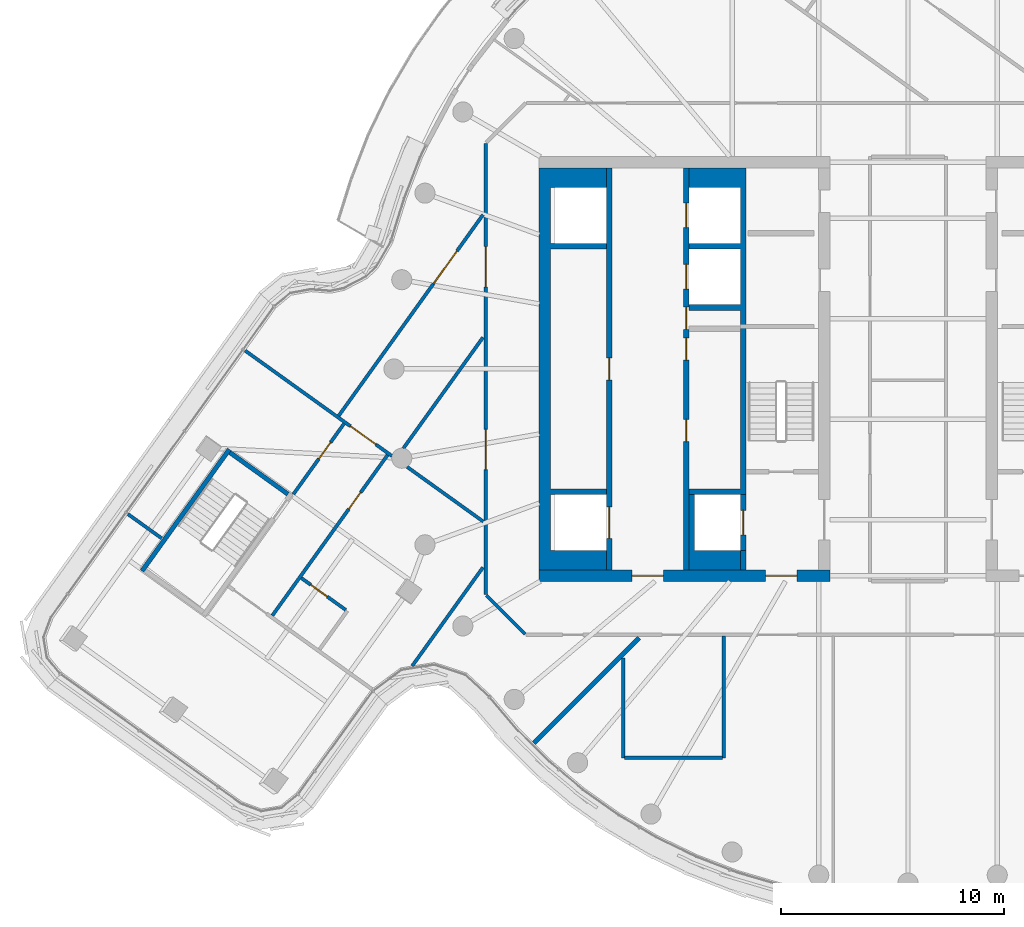
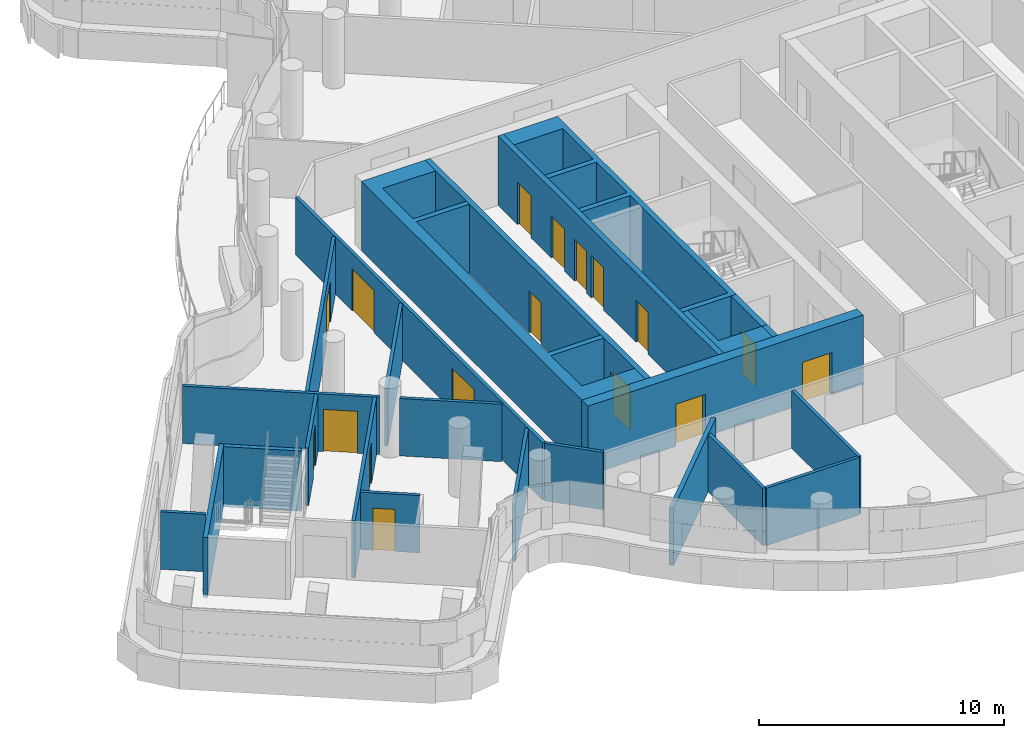
# One storey, part 17 of 27: 25 walls, 17 doors, 17 openings.
"""IFC4 building model written with IfcOpenShell, lengths in metres."""

from ifc_helpers import new_model, si_unit, direction, frame, frame_2d, origin, place, context, subcontext, project, spatial, polyline, rectangle, outline, extrude, material, layer, layer_set, type_object, element, fill, save


model = new_model("IFC4")

# Units and contexts
model_context = context("Model", 3, precision=1e-05, world=origin(), true_north=direction((0.0, 1.0)))
body_context = subcontext(model_context, "Body", "Model", "MODEL_VIEW")
ifc_project = project(units=[si_unit("LENGTHUNIT", "METRE"), si_unit("AREAUNIT", "SQUARE_METRE"), si_unit("VOLUMEUNIT", "CUBIC_METRE"), si_unit("PLANEANGLEUNIT", "RADIAN"), si_unit("MASSUNIT", "GRAM", prefix="KILO")], contexts=[model_context])

# Site, building, storey
site_placement = place(None, origin())
site = spatial("IfcSite", under=ifc_project, at=site_placement, CompositionType="ELEMENT")
building_placement = place(site_placement, origin())
building = spatial("IfcBuilding", under=site, at=building_placement, Name="Tamarind Cross Interchange Tower", CompositionType="ELEMENT")
storey_placement = place(building_placement, frame((0.0, 0.0, 230.699951171875)))
storey = spatial("IfcBuildingStorey", under=building, at=storey_placement, Name="L58", CompositionType="ELEMENT", Elevation=230.699951171875)

# Wall, openings, doors
ifc_material_1 = material(Name="Concrete C50", Category="concrete")
ifc_layer_1 = layer(ifc_material_1, 0.5)
ifc_layer_set_1 = layer_set([ifc_layer_1], Name="Concrete C50")
wall_type_1 = type_object("IfcWallType", Name="Core wall 500 mm Concrete C50", PredefinedType="SHEAR", material=ifc_layer_set_1)
wall_1_placement = place(storey_placement, frame((-16.5, -9.25, 0.0), z_axis=(0.0, 0.0, 1.0), x_axis=(1.0, 0.0, 0.0)))
wall_1 = element("IfcWall", 1, at=wall_1_placement, inside=storey, type_object=wall_type_1, Name="Core wall CWL-L58-W-S", PredefinedType="SHEAR", context=body_context, shape_type="SweptSolid", body=[
    extrude(rectangle(XDim=13.0, YDim=0.5, at=frame_2d((6.5, 0.0))), origin(), (0.0, 0.0, 1.0), 3.4599609375),
])
opening_1_placement = place(wall_1_placement, frame((4.14990234375, 0.0, 0.0)))
opening_1 = element("IfcOpeningElement", 2, at=opening_1_placement, cuts=wall_1, Name="Opening DCW1", PredefinedType="OPENING", context=body_context, shape_type="SweptSolid", body=[
    extrude(rectangle(XDim=1.39990234375, YDim=2.10009765625, at=frame_2d((0.699951171875, 1.050048828125))), frame((0.0, 0.260009765625, 0.0), z_axis=(0.0, -1.0, 0.0), x_axis=(1.0, 0.0, 0.0)), (0.0, 0.0, 1.0), 0.52001953125),
])
opening_2_placement = place(wall_1_placement, frame((10.125, 0.0, 0.0)))
opening_2 = element("IfcOpeningElement", 3, at=opening_2_placement, cuts=wall_1, Name="Opening DCWF", PredefinedType="OPENING", context=body_context, shape_type="SweptSolid", body=[
    extrude(rectangle(XDim=1.39990234375, YDim=2.10009765625, at=frame_2d((0.699951171875, 1.050048828125))), frame((0.0, 0.260009765625, 0.0), z_axis=(0.0, -1.0, 0.0), x_axis=(1.0, 0.0, 0.0)), (0.0, 0.0, 1.0), 0.52001953125),
])
ifc_material_2 = material(Name="Steel, fire-resisting", Category="steel")
door_type_1 = type_object("IfcDoorType", Name="Core fire door 1400 x 2100 FD90", OperationType="SINGLE_SWING_LEFT", PredefinedType="DOOR", material=ifc_material_2)
door_1_placement = place(opening_1_placement, origin())
door_1 = element("IfcDoor", 4, at=door_1_placement, inside=storey, type_object=door_type_1, Name="L58 lift lobby door", OperationType="SINGLE_SWING_LEFT", OverallHeight=2.10009765625, OverallWidth=1.39990234375, PredefinedType="DOOR", context=body_context, shape_type="SweptSolid", body=[
    extrude(rectangle(XDim=1.39990234375, YDim=2.10009765625, at=frame_2d((0.699951171875, 1.050048828125))), frame((0.0, 0.02490234375, 0.0), z_axis=(0.0, -1.0, 0.0), x_axis=(1.0, 0.0, 0.0)), (0.0, 0.0, 1.0), 0.050048828125),
])
fill(opening_1, door_1)
door_2_placement = place(opening_2_placement, origin())
door_2 = element("IfcDoor", 5, at=door_2_placement, inside=storey, type_object=door_type_1, Name="L58 firefighting lobby end door", OperationType="SINGLE_SWING_LEFT", OverallHeight=2.10009765625, OverallWidth=1.39990234375, PredefinedType="DOOR", context=body_context, shape_type="SweptSolid", body=[
    extrude(rectangle(XDim=1.39990234375, YDim=2.10009765625, at=frame_2d((0.699951171875, 1.050048828125))), frame((0.0, 0.02490234375, 0.0), z_axis=(0.0, -1.0, 0.0), x_axis=(1.0, 0.0, 0.0)), (0.0, 0.0, 1.0), 0.050048828125),
])
fill(opening_2, door_2)

# Walls
wall_2_placement = place(storey_placement, origin())
element("IfcWall", 6, at=wall_2_placement, inside=storey, type_object=wall_type_1, Name="Core wall CWL-L58-W-A", PredefinedType="SHEAR", context=body_context, shape_type="SweptSolid", body=[
    extrude(outline(polyline([(-13.5, -8.125), (-16.0, -8.125), (-16.0, -5.625), (-13.5, -5.625), (-13.5, -5.375), (-16.0, -5.375), (-16.0, 5.375), (-13.5, 5.375), (-13.5, 5.625), (-16.0, 5.625), (-16.0, 8.125), (-13.5, 8.125), (-13.5, 9.0), (-16.0, 9.0), (-16.5, 9.0), (-16.5, -9.0), (-16.0, -9.0), (-13.5, -9.0), (-13.5, -8.125)])), origin(), (0.0, 0.0, 1.0), 3.4599609375),
])
ifc_layer_2 = layer(ifc_material_1, 0.25)
ifc_layer_set_2 = layer_set([ifc_layer_2], Name="Concrete C50")
wall_type_2 = type_object("IfcWallType", Name="Core web wall 250 mm Concrete C50", PredefinedType="SHEAR", material=ifc_layer_set_2)
wall_3_placement = place(storey_placement, origin())
element("IfcWall", 7, at=wall_3_placement, inside=storey, type_object=wall_type_2, Name="Core wall CWL-L58-W-BN", PredefinedType="SHEAR", context=body_context, shape_type="SweptSolid", body=[
    extrude(outline(polyline([(-9.800048828125, -5.375), (-9.800048828125, -5.625), (-7.5, -5.625), (-7.25, -5.625), (-7.25, 9.0), (-7.5, 9.0), (-9.800048828125, 9.0), (-9.800048828125, 8.125), (-7.5, 8.125), (-7.5, 5.625), (-9.800048828125, 5.625), (-9.800048828125, 5.375), (-7.5, 5.375), (-7.5, 2.875), (-9.800048828125, 2.875), (-9.800048828125, 2.625), (-7.5, 2.625), (-7.5, -5.375), (-9.800048828125, -5.375)])), origin(), (0.0, 0.0, 1.0), 3.4599609375),
])
wall_4_placement = place(storey_placement, origin())
element("IfcWall", 8, at=wall_4_placement, inside=storey, type_object=wall_type_2, Name="Core wall CWL-L58-W-BS", PredefinedType="SHEAR", context=body_context, shape_type="SweptSolid", body=[
    extrude(outline(polyline([(-7.5, -8.125), (-9.550048828125, -8.125), (-9.550048828125, -5.625), (-9.800048828125, -5.625), (-9.800048828125, -8.125), (-9.800048828125, -9.0), (-7.5, -9.0), (-7.5, -8.125)])), origin(), (0.0, 0.0, 1.0), 3.4599609375),
])
wall_5_placement = place(storey_placement, frame((-7.375, -9.0, 0.0), z_axis=(0.0, 0.0, 1.0), x_axis=(0.0, 1.0, 0.0)))
element("IfcWall", 9, at=wall_5_placement, inside=storey, type_object=wall_type_2, Name="Core wall CWL-L58-W-BW", PredefinedType="SHEAR", context=body_context, shape_type="SweptSolid", body=[
    extrude(rectangle(XDim=0.875, YDim=0.25, at=frame_2d((0.4375, 0.0))), origin(), (0.0, 0.0, 1.0), 3.4599609375),
])

# Wall, openings, doors
wall_6_placement = place(storey_placement, frame((-13.375, -9.0, 0.0), z_axis=(0.0, 0.0, 1.0), x_axis=(0.0, 1.0, 0.0)))
wall_6 = element("IfcWall", 10, at=wall_6_placement, inside=storey, type_object=wall_type_2, Name="Core wall CWL-L58-W-LA", PredefinedType="SHEAR", context=body_context, shape_type="SweptSolid", body=[
    extrude(rectangle(XDim=18.0, YDim=0.25, at=frame_2d((9.0, 0.0))), origin(), (0.0, 0.0, 1.0), 3.4599609375),
])
opening_3_placement = place(wall_6_placement, frame((1.425048828125, 0.0, 0.0)))
opening_3 = element("IfcOpeningElement", 11, at=opening_3_placement, cuts=wall_6, Name="Opening LD1L58", PredefinedType="OPENING", context=body_context, shape_type="SweptSolid", body=[
    extrude(rectangle(XDim=1.39990234375, YDim=2.10009765625, at=frame_2d((0.699951171875, 1.050048828125))), frame((0.0, 0.135009765625, 0.0), z_axis=(0.0, -1.0, 0.0), x_axis=(1.0, 0.0, 0.0)), (0.0, 0.0, 1.0), 0.27001953125),
])
opening_4_placement = place(wall_6_placement, frame((8.5, 0.0, 0.0)))
opening_4 = element("IfcOpeningElement", 12, at=opening_4_placement, cuts=wall_6, Name="Opening DCW9", PredefinedType="OPENING", context=body_context, shape_type="SweptSolid", body=[
    extrude(rectangle(XDim=1.0, YDim=2.10009765625, at=frame_2d((0.5, 1.050048828125))), frame((0.0, 0.135009765625, 0.0), z_axis=(0.0, -1.0, 0.0), x_axis=(1.0, 0.0, 0.0)), (0.0, 0.0, 1.0), 0.27001953125),
])
door_type_2 = type_object("IfcDoorType", Name="Core fire door 1000 x 2100 FD90", OperationType="SINGLE_SWING_LEFT", PredefinedType="DOOR", material=ifc_material_2)
door_3_placement = place(opening_4_placement, origin())
door_3 = element("IfcDoor", 13, at=door_3_placement, inside=storey, type_object=door_type_2, Name="L58 Linen press door", OperationType="SINGLE_SWING_LEFT", OverallHeight=2.10009765625, OverallWidth=1.0, PredefinedType="DOOR", context=body_context, shape_type="SweptSolid", body=[
    extrude(rectangle(XDim=1.0, YDim=2.10009765625, at=frame_2d((0.5, 1.050048828125))), frame((0.0, 0.02490234375, 0.0), z_axis=(0.0, -1.0, 0.0), x_axis=(1.0, 0.0, 0.0)), (0.0, 0.0, 1.0), 0.050048828125),
])
fill(opening_4, door_3)
ifc_material_3 = material(Name="Stainless steel panel", Category="steel")
door_type_3 = type_object("IfcDoorType", Name="Lift landing door 1400 x 2100 E 120", OperationType="SLIDING_TO_LEFT", PredefinedType="DOOR", material=ifc_material_3)
door_4_placement = place(opening_3_placement, origin())
door_4 = element("IfcDoor", 14, at=door_4_placement, inside=storey, type_object=door_type_3, Name="L58 landing door LF1", OperationType="SLIDING_TO_LEFT", OverallHeight=2.10009765625, OverallWidth=1.39990234375, PredefinedType="DOOR", context=body_context, shape_type="SweptSolid", body=[
    extrude(rectangle(XDim=1.39990234375, YDim=2.10009765625, at=frame_2d((0.699951171875, 1.050048828125))), frame((0.0, 0.02490234375, 0.0), z_axis=(0.0, -1.0, 0.0), x_axis=(1.0, 0.0, 0.0)), (0.0, 0.0, 1.0), 0.050048828125),
])
fill(opening_3, door_4)

wall_7_placement = place(storey_placement, frame((-9.925048828125, -9.0, 0.0), z_axis=(0.0, 0.0, 1.0), x_axis=(0.0, 1.0, 0.0)))
wall_7 = element("IfcWall", 15, at=wall_7_placement, inside=storey, type_object=wall_type_2, Name="Core wall CWL-L58-W-LB", PredefinedType="SHEAR", context=body_context, shape_type="SweptSolid", body=[
    extrude(rectangle(XDim=18.0, YDim=0.25, at=frame_2d((9.0, 0.0))), origin(), (0.0, 0.0, 1.0), 3.4599609375),
])
opening_5_placement = place(wall_7_placement, frame((12.574951171875, 0.0, 0.0)))
opening_5 = element("IfcOpeningElement", 16, at=opening_5_placement, cuts=wall_7, Name="Opening LD11L58", PredefinedType="OPENING", context=body_context, shape_type="SweptSolid", body=[
    extrude(rectangle(XDim=1.10009765625, YDim=2.10009765625, at=frame_2d((0.550048828125, 1.050048828125))), frame((0.0, 0.135009765625, 0.0), z_axis=(0.0, -1.0, 0.0), x_axis=(1.0, 0.0, 0.0)), (0.0, 0.0, 1.0), 0.27001953125),
])
opening_6_placement = place(wall_7_placement, frame((15.324951171875, 0.0, 0.0)))
opening_6 = element("IfcOpeningElement", 17, at=opening_6_placement, cuts=wall_7, Name="Opening LD12L58", PredefinedType="OPENING", context=body_context, shape_type="SweptSolid", body=[
    extrude(rectangle(XDim=1.10009765625, YDim=2.10009765625, at=frame_2d((0.550048828125, 1.050048828125))), frame((0.0, 0.135009765625, 0.0), z_axis=(0.0, -1.0, 0.0), x_axis=(1.0, 0.0, 0.0)), (0.0, 0.0, 1.0), 0.27001953125),
])
opening_7_placement = place(wall_7_placement, frame((5.75, 0.0, 0.0)))
opening_7 = element("IfcOpeningElement", 18, at=opening_7_placement, cuts=wall_7, Name="Opening DCW21", PredefinedType="OPENING", context=body_context, shape_type="SweptSolid", body=[
    extrude(rectangle(XDim=1.0, YDim=2.10009765625, at=frame_2d((0.5, 1.050048828125))), frame((0.0, 0.135009765625, 0.0), z_axis=(0.0, -1.0, 0.0), x_axis=(1.0, 0.0, 0.0)), (0.0, 0.0, 1.0), 0.27001953125),
])
opening_8_placement = place(wall_7_placement, frame((9.39599609375, 0.0, 0.0)))
opening_8 = element("IfcOpeningElement", 19, at=opening_8_placement, cuts=wall_7, Name="Opening DCW21", PredefinedType="OPENING", context=body_context, shape_type="SweptSolid", body=[
    extrude(rectangle(XDim=1.0, YDim=2.10009765625, at=frame_2d((0.5, 1.050048828125))), frame((0.0, 0.135009765625, 0.0), z_axis=(0.0, -1.0, 0.0), x_axis=(1.0, 0.0, 0.0)), (0.0, 0.0, 1.0), 0.27001953125),
])
opening_9_placement = place(wall_7_placement, frame((10.77099609375, 0.0, 0.0)))
opening_9 = element("IfcOpeningElement", 20, at=opening_9_placement, cuts=wall_7, Name="Opening DCW22", PredefinedType="OPENING", context=body_context, shape_type="SweptSolid", body=[
    extrude(rectangle(XDim=1.0, YDim=2.10009765625, at=frame_2d((0.5, 1.050048828125))), frame((0.0, 0.135009765625, 0.0), z_axis=(0.0, -1.0, 0.0), x_axis=(1.0, 0.0, 0.0)), (0.0, 0.0, 1.0), 0.27001953125),
])
door_5_placement = place(opening_7_placement, origin())
door_5 = element("IfcDoor", 21, at=door_5_placement, inside=storey, type_object=door_type_2, Name="L58 Housekeeping pantry door", OperationType="SINGLE_SWING_LEFT", OverallHeight=2.10009765625, OverallWidth=1.0, PredefinedType="DOOR", context=body_context, shape_type="SweptSolid", body=[
    extrude(rectangle(XDim=1.0, YDim=2.10009765625, at=frame_2d((0.5, 1.050048828125))), frame((0.0, 0.02490234375, 0.0), z_axis=(0.0, -1.0, 0.0), x_axis=(1.0, 0.0, 0.0)), (0.0, 0.0, 1.0), 0.050048828125),
])
fill(opening_7, door_5)
door_6_placement = place(opening_8_placement, origin())
door_6 = element("IfcDoor", 22, at=door_6_placement, inside=storey, type_object=door_type_2, Name="L58 Housekeeping pantry door", OperationType="SINGLE_SWING_LEFT", OverallHeight=2.10009765625, OverallWidth=1.0, PredefinedType="DOOR", context=body_context, shape_type="SweptSolid", body=[
    extrude(rectangle(XDim=1.0, YDim=2.10009765625, at=frame_2d((0.5, 1.050048828125))), frame((0.0, 0.02490234375, 0.0), z_axis=(0.0, -1.0, 0.0), x_axis=(1.0, 0.0, 0.0)), (0.0, 0.0, 1.0), 0.050048828125),
])
fill(opening_8, door_6)
door_7_placement = place(opening_9_placement, origin())
door_7 = element("IfcDoor", 23, at=door_7_placement, inside=storey, type_object=door_type_2, Name="L58 Linen press door", OperationType="SINGLE_SWING_LEFT", OverallHeight=2.10009765625, OverallWidth=1.0, PredefinedType="DOOR", context=body_context, shape_type="SweptSolid", body=[
    extrude(rectangle(XDim=1.0, YDim=2.10009765625, at=frame_2d((0.5, 1.050048828125))), frame((0.0, 0.02490234375, 0.0), z_axis=(0.0, -1.0, 0.0), x_axis=(1.0, 0.0, 0.0)), (0.0, 0.0, 1.0), 0.050048828125),
])
fill(opening_9, door_7)
door_type_4 = type_object("IfcDoorType", Name="Lift landing door 1100 x 2100 E 120", OperationType="SLIDING_TO_LEFT", PredefinedType="DOOR", material=ifc_material_3)
door_8_placement = place(opening_5_placement, origin())
door_8 = element("IfcDoor", 24, at=door_8_placement, inside=storey, type_object=door_type_4, Name="L58 landing door LF11", OperationType="SLIDING_TO_LEFT", OverallHeight=2.10009765625, OverallWidth=1.10009765625, PredefinedType="DOOR", context=body_context, shape_type="SweptSolid", body=[
    extrude(rectangle(XDim=1.10009765625, YDim=2.10009765625, at=frame_2d((0.550048828125, 1.050048828125))), frame((0.0, 0.02490234375, 0.0), z_axis=(0.0, -1.0, 0.0), x_axis=(1.0, 0.0, 0.0)), (0.0, 0.0, 1.0), 0.050048828125),
])
fill(opening_5, door_8)
door_9_placement = place(opening_6_placement, origin())
door_9 = element("IfcDoor", 25, at=door_9_placement, inside=storey, type_object=door_type_4, Name="L58 landing door LF12", OperationType="SLIDING_TO_LEFT", OverallHeight=2.10009765625, OverallWidth=1.10009765625, PredefinedType="DOOR", context=body_context, shape_type="SweptSolid", body=[
    extrude(rectangle(XDim=1.10009765625, YDim=2.10009765625, at=frame_2d((0.550048828125, 1.050048828125))), frame((0.0, 0.02490234375, 0.0), z_axis=(0.0, -1.0, 0.0), x_axis=(1.0, 0.0, 0.0)), (0.0, 0.0, 1.0), 0.050048828125),
])
fill(opening_6, door_9)

# Wall, opening, door
wall_8_placement = place(storey_placement, frame((-7.375, -8.125, 0.0), z_axis=(0.0, 0.0, 1.0), x_axis=(0.0, 1.0, 0.0)))
wall_8 = element("IfcWall", 26, at=wall_8_placement, inside=storey, type_object=wall_type_2, Name="Core wall CWL-L58-W-FF", PredefinedType="SHEAR", context=body_context, shape_type="SweptSolid", body=[
    extrude(rectangle(XDim=2.5, YDim=0.25, at=frame_2d((1.25, 0.0))), origin(), (0.0, 0.0, 1.0), 3.4599609375),
])
opening_10_placement = place(wall_8_placement, frame((0.699951171875, 0.0, 0.0)))
opening_10 = element("IfcOpeningElement", 27, at=opening_10_placement, cuts=wall_8, Name="Opening LD7L58", PredefinedType="OPENING", context=body_context, shape_type="SweptSolid", body=[
    extrude(rectangle(XDim=1.10009765625, YDim=2.10009765625, at=frame_2d((0.550048828125, 1.050048828125))), frame((0.0, 0.135009765625, 0.0), z_axis=(0.0, -1.0, 0.0), x_axis=(1.0, 0.0, 0.0)), (0.0, 0.0, 1.0), 0.27001953125),
])
door_10_placement = place(opening_10_placement, origin())
door_10 = element("IfcDoor", 28, at=door_10_placement, inside=storey, type_object=door_type_4, Name="L58 landing door LF7", OperationType="SLIDING_TO_LEFT", OverallHeight=2.10009765625, OverallWidth=1.10009765625, PredefinedType="DOOR", context=body_context, shape_type="SweptSolid", body=[
    extrude(rectangle(XDim=1.10009765625, YDim=2.10009765625, at=frame_2d((0.550048828125, 1.050048828125))), frame((0.0, 0.02490234375, 0.0), z_axis=(0.0, -1.0, 0.0), x_axis=(1.0, 0.0, 0.0)), (0.0, 0.0, 1.0), 0.050048828125),
])
fill(opening_10, door_10)

# Walls
ifc_material_4 = material(Name="Gypsum board partition on steel studs", Category="steel")
ifc_layer_3 = layer(ifc_material_4, 0.14990234375)
ifc_layer_set_3 = layer_set([ifc_layer_3], Name="Gypsum board partition on steel studs")
wall_type_3 = type_object("IfcWallType", Name="Partition 150 mm EI 120", PredefinedType="PARTITIONING", material=ifc_layer_set_3)
wall_9_placement = place(storey_placement, frame((-18.87158203125, -10.12841796875, 0.0), z_axis=(0.0, 0.0, 1.0), x_axis=(0.707106781187, -0.707106781187, 0.0)))
element("IfcWall", 29, at=wall_9_placement, inside=storey, type_object=wall_type_3, Name="Partition L58-001", PredefinedType="PARTITIONING", context=body_context, shape_type="SweptSolid", body=[
    extrude(rectangle(XDim=2.465087890625, YDim=0.14990234375, at=frame_2d((1.232421875, 0.0))), origin(), (0.0, 0.0, 1.0), 2.864013671875),
])
wall_10_placement = place(storey_placement, frame((-34.90625, -6.492431640625, 0.0), z_axis=(0.0, 0.0, 1.0), x_axis=(0.812462513878, -0.583013433415, 0.0)))
element("IfcWall", 30, at=wall_10_placement, inside=storey, type_object=wall_type_3, Name="Partition L58-004", PredefinedType="PARTITIONING", context=body_context, shape_type="SweptSolid", body=[
    extrude(rectangle(XDim=1.85888671875, YDim=0.14990234375, at=frame_2d((0.929443359375, 0.0))), origin(), (0.0, 0.0, 1.0), 2.864013671875),
])

# Wall, opening, door
wall_11_placement = place(storey_placement, frame((-29.657958984375, 0.8193359375, 0.0), z_axis=(0.0, 0.0, 1.0), x_axis=(0.812385674916, -0.583120498003, 0.0)))
wall_11 = element("IfcWall", 31, at=wall_11_placement, inside=storey, type_object=wall_type_3, Name="Partition L58-006", PredefinedType="PARTITIONING", context=body_context, shape_type="SweptSolid", body=[
    extrude(rectangle(XDim=8.091064453125, YDim=0.14990234375, at=frame_2d((4.04541015625, 0.0))), origin(), (0.0, 0.0, 1.0), 2.864013671875),
])
opening_11_placement = place(wall_11_placement, frame((5.798583984375, 0.0, 0.0)))
opening_11 = element("IfcOpeningElement", 32, at=opening_11_placement, cuts=wall_11, Name="Opening D02", PredefinedType="OPENING", context=body_context, shape_type="SweptSolid", body=[
    extrude(rectangle(XDim=1.39990234375, YDim=2.10009765625, at=frame_2d((0.699951171875, 1.050048828125))), frame((0.0, 0.0849609375, 0.0), z_axis=(0.0, -1.0, 0.0), x_axis=(1.0, 0.0, 0.0)), (0.0, 0.0, 1.0), 0.169921875),
])
ifc_material_5 = material(Name="Fire-resisting door set")
door_type_5 = type_object("IfcDoorType", Name="Interior door 1400 x 2100 FD60S", OperationType="DOUBLE_DOOR_SINGLE_SWING", PredefinedType="DOOR", material=ifc_material_5)
door_11_placement = place(opening_11_placement, origin())
door_11 = element("IfcDoor", 33, at=door_11_placement, inside=storey, type_object=door_type_5, Name="Door D02", OperationType="DOUBLE_DOOR_SINGLE_SWING", OverallHeight=2.10009765625, OverallWidth=1.39990234375, PredefinedType="DOOR", context=body_context, shape_type="SweptSolid", body=[
    extrude(rectangle(XDim=1.39990234375, YDim=2.10009765625, at=frame_2d((0.699951171875, 1.050048828125))), frame((0.0, 0.02490234375, 0.0), z_axis=(0.0, -1.0, 0.0), x_axis=(1.0, 0.0, 0.0)), (0.0, 0.0, 1.0), 0.050048828125),
])
fill(opening_11, door_11)

# Wall
wall_12_placement = place(storey_placement, frame((-22.410888671875, -4.382568359375, 0.0), z_axis=(0.0, 0.0, 1.0), x_axis=(0.812402867659, -0.583096544853, 0.0)))
element("IfcWall", 34, at=wall_12_placement, inside=storey, type_object=wall_type_3, Name="Partition L58-007", PredefinedType="PARTITIONING", context=body_context, shape_type="SweptSolid", body=[
    extrude(rectangle(XDim=4.197021484375, YDim=0.14990234375, at=frame_2d((2.0986328125, 0.0))), origin(), (0.0, 0.0, 1.0), 2.864013671875),
])

# Wall, opening, door
wall_13_placement = place(storey_placement, frame((-27.14111328125, -9.357666015625, 0.0), z_axis=(0.0, 0.0, 1.0), x_axis=(0.812429251514, -0.583059783627, 0.0)))
wall_13 = element("IfcWall", 35, at=wall_13_placement, inside=storey, type_object=wall_type_3, Name="Partition L58-008", PredefinedType="PARTITIONING", context=body_context, shape_type="SweptSolid", body=[
    extrude(rectangle(XDim=2.44482421875, YDim=0.14990234375, at=frame_2d((1.222412109375, 0.0))), origin(), (0.0, 0.0, 1.0), 2.864013671875),
])
opening_12_placement = place(wall_13_placement, frame((0.52001953125, 0.0, 0.0)))
opening_12 = element("IfcOpeningElement", 36, at=opening_12_placement, cuts=wall_13, Name="Opening D03", PredefinedType="OPENING", context=body_context, shape_type="SweptSolid", body=[
    extrude(rectangle(XDim=0.89990234375, YDim=2.10009765625, at=frame_2d((0.449951171875, 1.050048828125))), frame((0.0, 0.0849609375, 0.0), z_axis=(0.0, -1.0, 0.0), x_axis=(1.0, 0.0, 0.0)), (0.0, 0.0, 1.0), 0.169921875),
])
door_type_6 = type_object("IfcDoorType", Name="Interior door 900 x 2100 FD60S", OperationType="SINGLE_SWING_LEFT", PredefinedType="DOOR", material=ifc_material_5)
door_12_placement = place(opening_12_placement, frame((0.89990234375, 0.0, 0.0), z_axis=(0.0, 0.0, 1.0), x_axis=(-1.0, 0.0, 0.0)))
door_12 = element("IfcDoor", 37, at=door_12_placement, inside=storey, type_object=door_type_6, Name="Door D03", OperationType="SINGLE_SWING_LEFT", OverallHeight=2.10009765625, OverallWidth=0.89990234375, PredefinedType="DOOR", context=body_context, shape_type="SweptSolid", body=[
    extrude(rectangle(XDim=0.89990234375, YDim=2.10009765625, at=frame_2d((0.449951171875, 1.050048828125))), frame((0.0, 0.02490234375, 0.0), z_axis=(0.0, -1.0, 0.0), x_axis=(1.0, 0.0, 0.0)), (0.0, 0.0, 1.0), 0.050048828125),
])
fill(opening_12, door_12)

# Wall
wall_14_placement = place(storey_placement, frame((-12.68603515625, -17.39990234375, 0.0), z_axis=(0.0, 0.0, 1.0), x_axis=(1.0, 0.0, 0.0)))
element("IfcWall", 38, at=wall_14_placement, inside=storey, type_object=wall_type_3, Name="Partition L58-025", PredefinedType="PARTITIONING", context=body_context, shape_type="SweptSolid", body=[
    extrude(rectangle(XDim=4.39013671875, YDim=0.14990234375, at=frame_2d((2.195068359375, 0.0))), origin(), (0.0, 0.0, 1.0), 2.864013671875),
])

# Wall, opening, door
wall_15_placement = place(storey_placement, frame((-28.4423828125, -11.032958984375, 0.0), z_axis=(0.0, 0.0, 1.0), x_axis=(0.583214260114, 0.81231836542, 0.0)))
wall_15 = element("IfcWall", 39, at=wall_15_placement, inside=storey, type_object=wall_type_3, Name="Partition L58-036", PredefinedType="PARTITIONING", context=body_context, shape_type="SweptSolid", body=[
    extrude(rectangle(XDim=8.83935546875, YDim=0.14990234375, at=frame_2d((4.419677734375, 0.0))), origin(), (0.0, 0.0, 1.0), 2.864013671875),
])
opening_13_placement = place(wall_15_placement, frame((5.869873046875, 0.0, 0.0)))
opening_13 = element("IfcOpeningElement", 40, at=opening_13_placement, cuts=wall_15, Name="Opening D21", PredefinedType="OPENING", context=body_context, shape_type="SweptSolid", body=[
    extrude(rectangle(XDim=0.89990234375, YDim=2.10009765625, at=frame_2d((0.449951171875, 1.050048828125))), frame((0.0, 0.0849609375, 0.0), z_axis=(0.0, -1.0, 0.0), x_axis=(1.0, 0.0, 0.0)), (0.0, 0.0, 1.0), 0.169921875),
])
door_13_placement = place(opening_13_placement, frame((0.89990234375, 0.0, 0.0), z_axis=(0.0, 0.0, 1.0), x_axis=(-1.0, 0.0, 0.0)))
door_13 = element("IfcDoor", 41, at=door_13_placement, inside=storey, type_object=door_type_6, Name="Door D21", OperationType="SINGLE_SWING_RIGHT", OverallHeight=2.10009765625, OverallWidth=0.89990234375, PredefinedType="DOOR", context=body_context, shape_type="SweptSolid", body=[
    extrude(rectangle(XDim=0.89990234375, YDim=2.10009765625, at=frame_2d((0.449951171875, 1.050048828125))), frame((0.0, 0.02490234375, 0.0), z_axis=(0.0, -1.0, 0.0), x_axis=(1.0, 0.0, 0.0)), (0.0, 0.0, 1.0), 0.050048828125),
])
fill(opening_13, door_13)

wall_16_placement = place(storey_placement, frame((-27.500244140625, -5.6044921875, 0.0), z_axis=(0.0, 0.0, 1.0), x_axis=(0.583087553975, 0.812409320724, 0.0)))
wall_16 = element("IfcWall", 42, at=wall_16_placement, inside=storey, type_object=wall_type_3, Name="Partition L58-037", PredefinedType="PARTITIONING", context=body_context, shape_type="SweptSolid", body=[
    extrude(rectangle(XDim=3.880615234375, YDim=0.14990234375, at=frame_2d((1.9404296875, 0.0))), origin(), (0.0, 0.0, 1.0), 2.864013671875),
])
opening_14_placement = place(wall_16_placement, frame((1.949951171875, 0.0, 0.0)))
opening_14 = element("IfcOpeningElement", 43, at=opening_14_placement, cuts=wall_16, Name="Opening D22", PredefinedType="OPENING", context=body_context, shape_type="SweptSolid", body=[
    extrude(rectangle(XDim=0.89990234375, YDim=2.10009765625, at=frame_2d((0.449951171875, 1.050048828125))), frame((0.0, 0.0849609375, 0.0), z_axis=(0.0, -1.0, 0.0), x_axis=(1.0, 0.0, 0.0)), (0.0, 0.0, 1.0), 0.169921875),
])
door_14_placement = place(opening_14_placement, origin())
door_14 = element("IfcDoor", 44, at=door_14_placement, inside=storey, type_object=door_type_6, Name="Door D22", OperationType="SINGLE_SWING_LEFT", OverallHeight=2.10009765625, OverallWidth=0.89990234375, PredefinedType="DOOR", context=body_context, shape_type="SweptSolid", body=[
    extrude(rectangle(XDim=0.89990234375, YDim=2.10009765625, at=frame_2d((0.449951171875, 1.050048828125))), frame((0.0, 0.02490234375, 0.0), z_axis=(0.0, -1.0, 0.0), x_axis=(1.0, 0.0, 0.0)), (0.0, 0.0, 1.0), 0.050048828125),
])
fill(opening_14, door_14)

wall_17_placement = place(storey_placement, frame((-25.46923828125, -2.089111328125, 0.0), z_axis=(0.0, 0.0, 1.0), x_axis=(0.583125400674, 0.812382155816, 0.0)))
wall_17 = element("IfcWall", 45, at=wall_17_placement, inside=storey, type_object=wall_type_3, Name="Partition L58-039", PredefinedType="PARTITIONING", context=body_context, shape_type="SweptSolid", body=[
    extrude(rectangle(XDim=11.065673828125, YDim=0.14990234375, at=frame_2d((5.53271484375, 0.0))), origin(), (0.0, 0.0, 1.0), 2.864013671875),
])
opening_15_placement = place(wall_17_placement, frame((7.27001953125, 0.0, 0.0)))
opening_15 = element("IfcOpeningElement", 46, at=opening_15_placement, cuts=wall_17, Name="Opening D23", PredefinedType="OPENING", context=body_context, shape_type="SweptSolid", body=[
    extrude(rectangle(XDim=1.800048828125, YDim=2.10009765625, at=frame_2d((0.89990234375, 1.050048828125))), frame((0.0, 0.0849609375, 0.0), z_axis=(0.0, -1.0, 0.0), x_axis=(1.0, 0.0, 0.0)), (0.0, 0.0, 1.0), 0.169921875),
])
door_type_7 = type_object("IfcDoorType", Name="Interior door 1800 x 2100 FD60S", OperationType="DOUBLE_DOOR_SINGLE_SWING", PredefinedType="DOOR", material=ifc_material_5)
door_15_placement = place(opening_15_placement, origin())
door_15 = element("IfcDoor", 47, at=door_15_placement, inside=storey, type_object=door_type_7, Name="Door D23", OperationType="DOUBLE_DOOR_SINGLE_SWING", OverallHeight=2.10009765625, OverallWidth=1.800048828125, PredefinedType="DOOR", context=body_context, shape_type="SweptSolid", body=[
    extrude(rectangle(XDim=1.800048828125, YDim=2.10009765625, at=frame_2d((0.89990234375, 1.050048828125))), frame((0.0, 0.02490234375, 0.0), z_axis=(0.0, -1.0, 0.0), x_axis=(1.0, 0.0, 0.0)), (0.0, 0.0, 1.0), 0.050048828125),
])
fill(opening_15, door_15)

# Walls
wall_18_placement = place(storey_placement, frame((-22.58056640625, -3.552734375, 0.0), z_axis=(0.0, 0.0, 1.0), x_axis=(0.58311080808, 0.812392630137, 0.0)))
element("IfcWall", 48, at=wall_18_placement, inside=storey, type_object=wall_type_3, Name="Partition L58-041", PredefinedType="PARTITIONING", context=body_context, shape_type="SweptSolid", body=[
    extrude(rectangle(XDim=6.112060546875, YDim=0.14990234375, at=frame_2d((3.05615234375, 0.0))), origin(), (0.0, 0.0, 1.0), 2.864013671875),
])
wall_19_placement = place(storey_placement, frame((-22.185302734375, -13.291015625, 0.0), z_axis=(0.0, 0.0, 1.0), x_axis=(0.583119360329, 0.812386491523, 0.0)))
element("IfcWall", 49, at=wall_19_placement, inside=storey, type_object=wall_type_3, Name="Partition L58-042", PredefinedType="PARTITIONING", context=body_context, shape_type="SweptSolid", body=[
    extrude(rectangle(XDim=5.43408203125, YDim=0.14990234375, at=frame_2d((2.717041015625, 0.0))), origin(), (0.0, 0.0, 1.0), 2.864013671875),
])

# Wall, openings, doors
wall_20_placement = place(storey_placement, frame((-18.89990234375, -10.10009765625, 0.0), z_axis=(0.0, 0.0, 1.0), x_axis=(0.0, 1.0, 0.0)))
wall_20 = element("IfcWall", 50, at=wall_20_placement, inside=storey, type_object=wall_type_3, Name="Partition L58-052", PredefinedType="PARTITIONING", context=body_context, shape_type="SweptSolid", body=[
    extrude(rectangle(XDim=20.2001953125, YDim=0.14990234375, at=frame_2d((10.10009765625, 0.0))), origin(), (0.0, 0.0, 1.0), 2.864013671875),
])
opening_16_placement = place(wall_20_placement, frame((13.77490234375, 0.0, 0.0)))
opening_16 = element("IfcOpeningElement", 51, at=opening_16_placement, cuts=wall_20, Name="Opening D27", PredefinedType="OPENING", context=body_context, shape_type="SweptSolid", body=[
    extrude(rectangle(XDim=1.800048828125, YDim=2.10009765625, at=frame_2d((0.89990234375, 1.050048828125))), frame((0.0, 0.0849609375, 0.0), z_axis=(0.0, -1.0, 0.0), x_axis=(1.0, 0.0, 0.0)), (0.0, 0.0, 1.0), 0.169921875),
])
opening_17_placement = place(wall_20_placement, frame((5.596923828125, 0.0, 0.0)))
opening_17 = element("IfcOpeningElement", 52, at=opening_17_placement, cuts=wall_20, Name="Opening D28", PredefinedType="OPENING", context=body_context, shape_type="SweptSolid", body=[
    extrude(rectangle(XDim=1.800048828125, YDim=2.10009765625, at=frame_2d((0.89990234375, 1.050048828125))), frame((0.0, 0.0849609375, 0.0), z_axis=(0.0, -1.0, 0.0), x_axis=(1.0, 0.0, 0.0)), (0.0, 0.0, 1.0), 0.169921875),
])
door_16_placement = place(opening_16_placement, frame((1.800048828125, 0.0, 0.0), z_axis=(0.0, 0.0, 1.0), x_axis=(-1.0, 0.0, 0.0)))
door_16 = element("IfcDoor", 53, at=door_16_placement, inside=storey, type_object=door_type_7, Name="Door D27", OperationType="DOUBLE_DOOR_SINGLE_SWING", OverallHeight=2.10009765625, OverallWidth=1.800048828125, PredefinedType="DOOR", context=body_context, shape_type="SweptSolid", body=[
    extrude(rectangle(XDim=1.800048828125, YDim=2.10009765625, at=frame_2d((0.89990234375, 1.050048828125))), frame((0.0, 0.02490234375, 0.0), z_axis=(0.0, -1.0, 0.0), x_axis=(1.0, 0.0, 0.0)), (0.0, 0.0, 1.0), 0.050048828125),
])
fill(opening_16, door_16)
door_17_placement = place(opening_17_placement, origin())
door_17 = element("IfcDoor", 54, at=door_17_placement, inside=storey, type_object=door_type_7, Name="Door D28", OperationType="DOUBLE_DOOR_SINGLE_SWING", OverallHeight=2.10009765625, OverallWidth=1.800048828125, PredefinedType="DOOR", context=body_context, shape_type="SweptSolid", body=[
    extrude(rectangle(XDim=1.800048828125, YDim=2.10009765625, at=frame_2d((0.89990234375, 1.050048828125))), frame((0.0, 0.02490234375, 0.0), z_axis=(0.0, -1.0, 0.0), x_axis=(1.0, 0.0, 0.0)), (0.0, 0.0, 1.0), 0.050048828125),
])
fill(opening_17, door_17)

# Walls
wall_21_placement = place(storey_placement, frame((-12.740966796875, -17.39990234375, 0.0), z_axis=(0.0, 0.0, 1.0), x_axis=(0.0, 1.0, 0.0)))
element("IfcWall", 55, at=wall_21_placement, inside=storey, type_object=wall_type_3, Name="Partition L58-053", PredefinedType="PARTITIONING", context=body_context, shape_type="SweptSolid", body=[
    extrude(rectangle(XDim=4.458984375, YDim=0.14990234375, at=frame_2d((2.2294921875, 0.0))), origin(), (0.0, 0.0, 1.0), 2.864013671875),
])
wall_22_placement = place(storey_placement, frame((-8.240966796875, -17.39990234375, 0.0), z_axis=(0.0, 0.0, 1.0), x_axis=(0.0, 1.0, 0.0)))
element("IfcWall", 56, at=wall_22_placement, inside=storey, type_object=wall_type_3, Name="Partition L58-054", PredefinedType="PARTITIONING", context=body_context, shape_type="SweptSolid", body=[
    extrude(rectangle(XDim=5.44482421875, YDim=0.14990234375, at=frame_2d((2.722412109375, 0.0))), origin(), (0.0, 0.0, 1.0), 2.864013671875),
])
ifc_layer_4 = layer(ifc_material_4, 0.199951171875)
ifc_layer_set_4 = layer_set([ifc_layer_4], Name="Gypsum board partition on steel studs")
wall_type_4 = type_object("IfcWallType", Name="Partition 200 mm EI 180", PredefinedType="PARTITIONING", material=ifc_layer_set_4)
wall_23_placement = place(storey_placement, frame((-16.740478515625, -16.740478515625, 0.0), z_axis=(0.0, 0.0, 1.0), x_axis=(0.707106781187, 0.707106781187, 0.0)))
element("IfcWall", 57, at=wall_23_placement, inside=storey, type_object=wall_type_4, Name="Partition L58-034", PredefinedType="PARTITIONING", context=body_context, shape_type="SweptSolid", body=[
    extrude(rectangle(XDim=6.665283203125, YDim=0.199951171875, at=frame_2d((3.33251953125, 0.0))), origin(), (0.0, 0.0, 1.0), 2.864013671875),
])
ifc_material_6 = material(Name="Concrete C40", Category="concrete")
ifc_layer_5 = layer(ifc_material_6, 0.199951171875)
ifc_layer_set_5 = layer_set([ifc_layer_5], Name="Concrete C40")
wall_type_5 = type_object("IfcWallType", Name="Stair shaft wall 200 mm Concrete C40", PredefinedType="SHEAR", material=ifc_layer_set_5)
wall_24_placement = place(storey_placement, frame((-30.36669921875, -3.595947265625, -0.139892578125), z_axis=(0.0, 0.0, 1.0), x_axis=(-0.58311182976, -0.812391896805, 0.0)))
element("IfcWall", 58, at=wall_24_placement, inside=storey, type_object=wall_type_5, Name="Core wall CWL-L58-ST5-C", PredefinedType="SHEAR", context=body_context, shape_type="SweptSolid", body=[
    extrude(rectangle(XDim=6.69970703125, YDim=0.199951171875, at=frame_2d((3.349853515625, 0.0))), origin(), (0.0, 0.0, 1.0), 3.00390625),
])
wall_25_placement = place(storey_placement, frame((-30.343505859375, -3.735595703125, -0.139892578125), z_axis=(0.0, 0.0, 1.0), x_axis=(0.812385823925, -0.583120290408, 0.0)))
element("IfcWall", 59, at=wall_25_placement, inside=storey, type_object=wall_type_5, Name="Core wall CWL-L58-ST5-CE", PredefinedType="SHEAR", context=body_context, shape_type="SweptSolid", body=[
    extrude(rectangle(XDim=3.199951171875, YDim=0.199951171875, at=frame_2d((1.60009765625, 0.0))), origin(), (0.0, 0.0, 1.0), 3.00390625),
])

save(model, "model.ifc")
